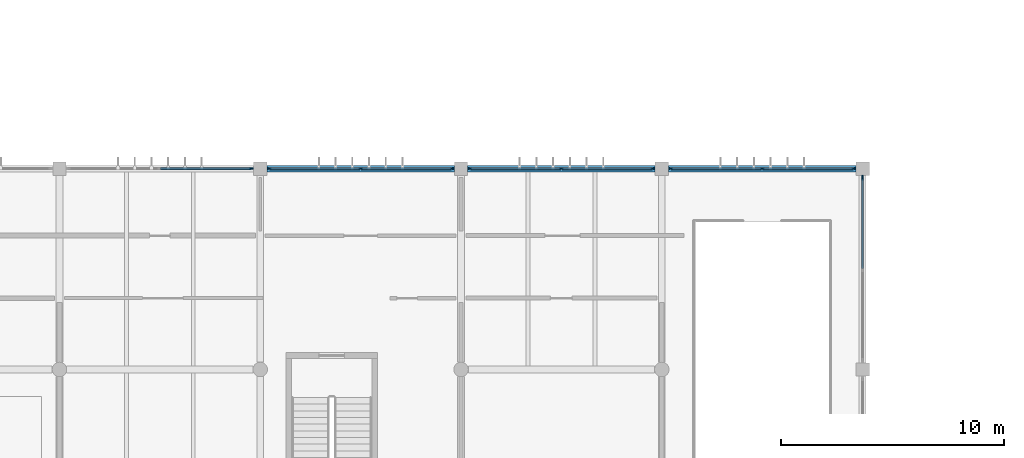
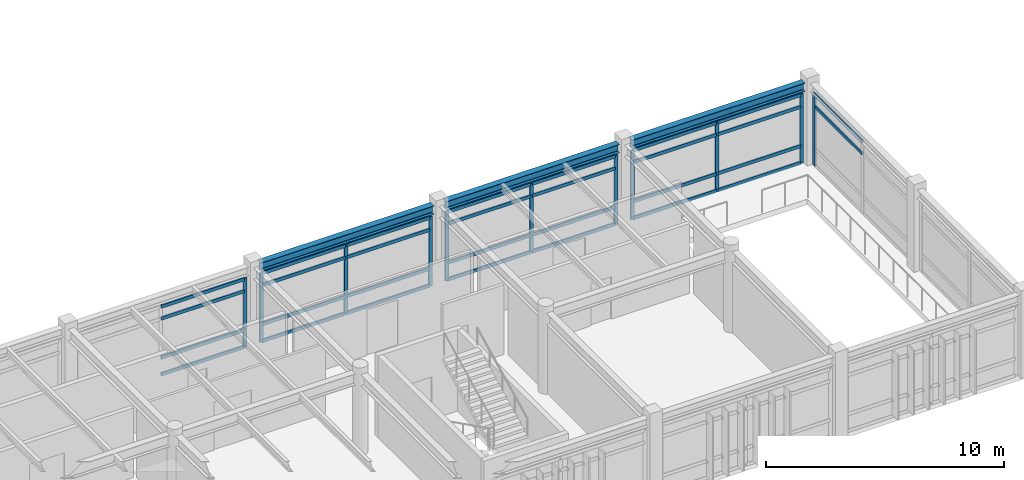
# One storey, part 11 of 55: 41 members, 3 beams, 5 elements without a shape of their own.
"""IFC4 building model written with IfcOpenShell, lengths in metres."""

from ifc_helpers import new_model, si_unit, direction, frame, origin, origin_2d, place, context, subcontext, project, spatial, rectangle, i_section, extrude, material, material_profile, profile_set, type_object, element, aggregate, save


model = new_model("IFC4")

# Units and contexts
model_context = context("Model", 3, precision=1e-05, world=origin(), true_north=direction((0.0, 1.0)))
body_context = subcontext(model_context, "Body", "Model", "MODEL_VIEW")
ifc_project = project(units=[si_unit("LENGTHUNIT", "METRE"), si_unit("AREAUNIT", "SQUARE_METRE"), si_unit("VOLUMEUNIT", "CUBIC_METRE"), si_unit("PLANEANGLEUNIT", "RADIAN"), si_unit("MASSUNIT", "GRAM", prefix="KILO")], contexts=[model_context])

# Site, building, storey
site_placement = place(None, origin())
site = spatial("IfcSite", under=ifc_project, at=site_placement, CompositionType="ELEMENT")
building_placement = place(site_placement, origin())
building = spatial("IfcBuilding", under=site, at=building_placement, Name="Bozkorgan Art Gallery", CompositionType="ELEMENT")
storey_placement = place(building_placement, frame((0.0, 0.0, 15.0)))
storey = spatial("IfcBuildingStorey", under=building, at=storey_placement, Name="L03", CompositionType="ELEMENT", Elevation=15.0)

# Beams
ifc_material_1 = material(Name="Steel S355J2", Category="steel")
ifc_material_profile_1 = material_profile(ifc_material_1, i_section(OverallWidth=0.300048828125, OverallDepth=0.43994140625, WebThickness=0.011474609375, FlangeThickness=0.02099609375, FilletRadius=0.027099609375, at=origin_2d()), Name="HEA 450")
ifc_profile_set_1 = profile_set([ifc_material_profile_1], Name="Steel S355J2")
beam_type = type_object("IfcBeamType", Name="BEAM-SP-34", PredefinedType="SPANDREL", material=ifc_profile_set_1)
for number, where, z_axis, x_axis, name in (
    (1, (38.300048828125, 20.0, 3.9599609375), (1.0, 0.0, 0.0), (0.0, 1.0, 0.0), "V1 L03 spandrel X (38-47, 20.0)"),
    (2, (47.300048828125, 20.0, 3.9599609375), (1.0, 0.0, 0.0), (0.0, 1.0, 0.0), "V1 L03 spandrel X (47-56, 20.0)"),
    (3, (56.300048828125, 20.0, 3.9599609375), (1.0, 0.0, 0.0), (0.0, 1.0, 0.0), "V1 L03 spandrel X (56-65, 20.0)"),
):
    element("IfcBeam", number, at=place(storey_placement, frame(where, z_axis=z_axis, x_axis=x_axis)), inside=storey, type_object=beam_type, Name=name, PredefinedType="SPANDREL", context=body_context, shape_type="SweptSolid", body=[
        extrude(i_section(OverallWidth=0.300048828125, OverallDepth=0.43994140625, WebThickness=0.011474609375, FlangeThickness=0.02099609375, FilletRadius=0.027099609375, at=origin_2d()), origin(), (0.0, 0.0, 1.0), 8.39990234375),
    ])

# Curtain wall, member
ifc_material_2 = material(Name="Anodised Bronze Aluminium", Category="aluminium")
curtain_wall_type_1 = type_object("IfcCurtainWallType", Name="CW-CW-42", PredefinedType="NOTDEFINED", material=ifc_material_2)
curtain_wall_1_placement = place(storey_placement, origin())
curtain_wall_1 = element("IfcCurtainWall", 4, at=curtain_wall_1_placement, inside=storey, type_object=curtain_wall_type_1, Name="L03 unitised curtain wall CW-V1-L03-1N-08", PredefinedType="NOTDEFINED")
ifc_material_profile_2 = material_profile(ifc_material_2, rectangle(XDim=0.06494140625, YDim=0.179931640625, at=origin_2d()), Name="ALU MULLION 65x180")
ifc_profile_set_2 = profile_set([ifc_material_profile_2], Name="Anodised Bronze Aluminium")
member_type_1 = type_object("IfcMemberType", Name="CWM-01", PredefinedType="MULLION", material=ifc_profile_set_2)
member_1_placement = place(storey_placement, frame((37.6025390625, 20.0, 0.02001953125), z_axis=(0.0, 0.0, 1.0), x_axis=(0.0, 1.0, 0.0)))
member_1 = element("IfcMember", 5, at=member_1_placement, type_object=member_type_1, Name="CW-42 mullion 3", PredefinedType="MULLION", context=body_context, shape_type="SweptSolid", body=[
    extrude(rectangle(XDim=0.06494140625, YDim=0.179931640625, at=origin_2d()), origin(), (0.0, 0.0, 1.0), 3.554931640625),
])

# Curtain wall, members
curtain_wall_2_placement = place(storey_placement, origin())
curtain_wall_2 = element("IfcCurtainWall", 6, at=curtain_wall_2_placement, inside=storey, type_object=curtain_wall_type_1, Name="L03 unitised curtain wall CW-V1-L03-1N-10", PredefinedType="NOTDEFINED")
member_2_placement = place(storey_placement, frame((38.3974609375, 20.0, 0.02001953125), z_axis=(0.0, 0.0, 1.0), x_axis=(0.0, 1.0, 0.0)))
member_2 = element("IfcMember", 7, at=member_2_placement, type_object=member_type_1, Name="CW-42 mullion 1", PredefinedType="MULLION", context=body_context, shape_type="SweptSolid", body=[
    extrude(rectangle(XDim=0.06494140625, YDim=0.179931640625, at=origin_2d()), origin(), (0.0, 0.0, 1.0), 3.554931640625),
])
member_3_placement = place(storey_placement, frame((42.5, 20.0, 0.02001953125), z_axis=(0.0, 0.0, 1.0), x_axis=(0.0, 1.0, 0.0)))
member_3 = element("IfcMember", 8, at=member_3_placement, type_object=member_type_1, Name="CW-42 mullion 2", PredefinedType="MULLION", context=body_context, shape_type="SweptSolid", body=[
    extrude(rectangle(XDim=0.06494140625, YDim=0.179931640625, at=origin_2d()), origin(), (0.0, 0.0, 1.0), 3.554931640625),
])
member_4_placement = place(storey_placement, frame((46.6025390625, 20.0, 0.02001953125), z_axis=(0.0, 0.0, 1.0), x_axis=(0.0, 1.0, 0.0)))
member_4 = element("IfcMember", 9, at=member_4_placement, type_object=member_type_1, Name="CW-42 mullion 3", PredefinedType="MULLION", context=body_context, shape_type="SweptSolid", body=[
    extrude(rectangle(XDim=0.06494140625, YDim=0.179931640625, at=origin_2d()), origin(), (0.0, 0.0, 1.0), 3.554931640625),
])

curtain_wall_3_placement = place(storey_placement, origin())
curtain_wall_3 = element("IfcCurtainWall", 10, at=curtain_wall_3_placement, inside=storey, type_object=curtain_wall_type_1, Name="L03 unitised curtain wall CW-V1-L03-1N-12", PredefinedType="NOTDEFINED")
member_5_placement = place(storey_placement, frame((47.3974609375, 20.0, 0.02001953125), z_axis=(0.0, 0.0, 1.0), x_axis=(0.0, 1.0, 0.0)))
member_5 = element("IfcMember", 11, at=member_5_placement, type_object=member_type_1, Name="CW-42 mullion 1", PredefinedType="MULLION", context=body_context, shape_type="SweptSolid", body=[
    extrude(rectangle(XDim=0.06494140625, YDim=0.179931640625, at=origin_2d()), origin(), (0.0, 0.0, 1.0), 3.554931640625),
])
member_6_placement = place(storey_placement, frame((51.5, 20.0, 0.02001953125), z_axis=(0.0, 0.0, 1.0), x_axis=(0.0, 1.0, 0.0)))
member_6 = element("IfcMember", 12, at=member_6_placement, type_object=member_type_1, Name="CW-42 mullion 2", PredefinedType="MULLION", context=body_context, shape_type="SweptSolid", body=[
    extrude(rectangle(XDim=0.06494140625, YDim=0.179931640625, at=origin_2d()), origin(), (0.0, 0.0, 1.0), 3.554931640625),
])
member_7_placement = place(storey_placement, frame((55.6025390625, 20.0, 0.02001953125), z_axis=(0.0, 0.0, 1.0), x_axis=(0.0, 1.0, 0.0)))
member_7 = element("IfcMember", 13, at=member_7_placement, type_object=member_type_1, Name="CW-42 mullion 3", PredefinedType="MULLION", context=body_context, shape_type="SweptSolid", body=[
    extrude(rectangle(XDim=0.06494140625, YDim=0.179931640625, at=origin_2d()), origin(), (0.0, 0.0, 1.0), 3.554931640625),
])

curtain_wall_4_placement = place(storey_placement, origin())
curtain_wall_4 = element("IfcCurtainWall", 14, at=curtain_wall_4_placement, inside=storey, type_object=curtain_wall_type_1, Name="L03 unitised curtain wall CW-V1-L03-1N-14", PredefinedType="NOTDEFINED")
member_8_placement = place(storey_placement, frame((56.3974609375, 20.0, 0.02001953125), z_axis=(0.0, 0.0, 1.0), x_axis=(0.0, 1.0, 0.0)))
member_8 = element("IfcMember", 15, at=member_8_placement, type_object=member_type_1, Name="CW-42 mullion 1", PredefinedType="MULLION", context=body_context, shape_type="SweptSolid", body=[
    extrude(rectangle(XDim=0.06494140625, YDim=0.179931640625, at=origin_2d()), origin(), (0.0, 0.0, 1.0), 3.554931640625),
])
member_9_placement = place(storey_placement, frame((60.5, 20.0, 0.02001953125), z_axis=(0.0, 0.0, 1.0), x_axis=(0.0, 1.0, 0.0)))
member_9 = element("IfcMember", 16, at=member_9_placement, type_object=member_type_1, Name="CW-42 mullion 2", PredefinedType="MULLION", context=body_context, shape_type="SweptSolid", body=[
    extrude(rectangle(XDim=0.06494140625, YDim=0.179931640625, at=origin_2d()), origin(), (0.0, 0.0, 1.0), 3.554931640625),
])
member_10_placement = place(storey_placement, frame((64.6025390625, 20.0, 0.02001953125), z_axis=(0.0, 0.0, 1.0), x_axis=(0.0, 1.0, 0.0)))
member_10 = element("IfcMember", 17, at=member_10_placement, type_object=member_type_1, Name="CW-42 mullion 3", PredefinedType="MULLION", context=body_context, shape_type="SweptSolid", body=[
    extrude(rectangle(XDim=0.06494140625, YDim=0.179931640625, at=origin_2d()), origin(), (0.0, 0.0, 1.0), 3.554931640625),
])

# Curtain wall, member
curtain_wall_type_2 = type_object("IfcCurtainWallType", Name="CW-CW-02", PredefinedType="NOTDEFINED", material=ifc_material_2)
curtain_wall_5_placement = place(storey_placement, origin())
curtain_wall_5 = element("IfcCurtainWall", 18, at=curtain_wall_5_placement, inside=storey, type_object=curtain_wall_type_2, Name="L03 unitised curtain wall CW-V1-L03-1E-18", PredefinedType="NOTDEFINED")
ifc_material_profile_3 = material_profile(ifc_material_2, rectangle(XDim=0.074951171875, YDim=0.219970703125, at=origin_2d()), Name="ALU MULLION 75x220")
ifc_profile_set_3 = profile_set([ifc_material_profile_3], Name="Anodised Bronze Aluminium")
member_type_2 = type_object("IfcMemberType", Name="CWM-02", PredefinedType="MULLION", material=ifc_profile_set_3)
member_11_placement = place(storey_placement, frame((65.0, 19.597412109375, 0.02001953125), z_axis=(0.0, 0.0, 1.0), x_axis=(-1.0, 0.0, 0.0)))
member_11 = element("IfcMember", 19, at=member_11_placement, type_object=member_type_2, Name="CW-02 mullion 3", PredefinedType="MULLION", context=body_context, shape_type="SweptSolid", body=[
    extrude(rectangle(XDim=0.074951171875, YDim=0.219970703125, at=origin_2d()), origin(), (0.0, 0.0, 1.0), 3.705078125),
])

# Member
ifc_material_profile_4 = material_profile(ifc_material_2, rectangle(XDim=0.074951171875, YDim=0.169921875, at=origin_2d()), Name="ALU TRANSOM 75x170")
ifc_profile_set_4 = profile_set([ifc_material_profile_4], Name="Anodised Bronze Aluminium")
member_type_3 = type_object("IfcMemberType", Name="CWT-02", PredefinedType="USERDEFINED", material=ifc_profile_set_4)
member_12_placement = place(storey_placement, frame((33.532470703125, 20.0, 0.0576171875), z_axis=(1.0, 0.0, 0.0), x_axis=(0.0, 1.0, 0.0)))
member_12 = element("IfcMember", 20, at=member_12_placement, type_object=member_type_3, Name="CW-42 transom 2.1", ObjectType="TRANSOM", PredefinedType="USERDEFINED", context=body_context, shape_type="SweptSolid", body=[
    extrude(rectangle(XDim=0.074951171875, YDim=0.169921875, at=origin_2d()), origin(), (0.0, 0.0, 1.0), 4.03759765625),
])

member_13_placement = place(storey_placement, frame((33.532470703125, 20.0, 0.919921875), z_axis=(1.0, 0.0, 0.0), x_axis=(0.0, 1.0, 0.0)))
member_13 = element("IfcMember", 21, at=member_13_placement, type_object=member_type_3, Name="CW-42 transom 2.2", ObjectType="TRANSOM", PredefinedType="USERDEFINED", context=body_context, shape_type="SweptSolid", body=[
    extrude(rectangle(XDim=0.074951171875, YDim=0.169921875, at=origin_2d()), origin(), (0.0, 0.0, 1.0), 4.03759765625),
])

member_14_placement = place(storey_placement, frame((33.532470703125, 20.0, 2.925048828125), z_axis=(1.0, 0.0, 0.0), x_axis=(0.0, 1.0, 0.0)))
member_14 = element("IfcMember", 22, at=member_14_placement, type_object=member_type_3, Name="CW-42 transom 2.3", ObjectType="TRANSOM", PredefinedType="USERDEFINED", context=body_context, shape_type="SweptSolid", body=[
    extrude(rectangle(XDim=0.074951171875, YDim=0.169921875, at=origin_2d()), origin(), (0.0, 0.0, 1.0), 4.03759765625),
])

member_15_placement = place(storey_placement, frame((33.532470703125, 20.0, 3.53759765625), z_axis=(1.0, 0.0, 0.0), x_axis=(0.0, 1.0, 0.0)))
member_15 = element("IfcMember", 23, at=member_15_placement, type_object=member_type_3, Name="CW-42 transom 2.4", ObjectType="TRANSOM", PredefinedType="USERDEFINED", context=body_context, shape_type="SweptSolid", body=[
    extrude(rectangle(XDim=0.074951171875, YDim=0.169921875, at=origin_2d()), origin(), (0.0, 0.0, 1.0), 4.03759765625),
])

aggregate(curtain_wall_1, [member_1, member_12, member_13, member_14, member_15])

member_16_placement = place(storey_placement, frame((38.429931640625, 20.0, 0.0576171875), z_axis=(1.0, 0.0, 0.0), x_axis=(0.0, 1.0, 0.0)))
member_16 = element("IfcMember", 24, at=member_16_placement, type_object=member_type_3, Name="CW-42 transom 1.1", ObjectType="TRANSOM", PredefinedType="USERDEFINED", context=body_context, shape_type="SweptSolid", body=[
    extrude(rectangle(XDim=0.074951171875, YDim=0.169921875, at=origin_2d()), origin(), (0.0, 0.0, 1.0), 4.03759765625),
])

member_17_placement = place(storey_placement, frame((38.429931640625, 20.0, 0.919921875), z_axis=(1.0, 0.0, 0.0), x_axis=(0.0, 1.0, 0.0)))
member_17 = element("IfcMember", 25, at=member_17_placement, type_object=member_type_3, Name="CW-42 transom 1.2", ObjectType="TRANSOM", PredefinedType="USERDEFINED", context=body_context, shape_type="SweptSolid", body=[
    extrude(rectangle(XDim=0.074951171875, YDim=0.169921875, at=origin_2d()), origin(), (0.0, 0.0, 1.0), 4.03759765625),
])

member_18_placement = place(storey_placement, frame((38.429931640625, 20.0, 2.925048828125), z_axis=(1.0, 0.0, 0.0), x_axis=(0.0, 1.0, 0.0)))
member_18 = element("IfcMember", 26, at=member_18_placement, type_object=member_type_3, Name="CW-42 transom 1.3", ObjectType="TRANSOM", PredefinedType="USERDEFINED", context=body_context, shape_type="SweptSolid", body=[
    extrude(rectangle(XDim=0.074951171875, YDim=0.169921875, at=origin_2d()), origin(), (0.0, 0.0, 1.0), 4.03759765625),
])

member_19_placement = place(storey_placement, frame((38.429931640625, 20.0, 3.53759765625), z_axis=(1.0, 0.0, 0.0), x_axis=(0.0, 1.0, 0.0)))
member_19 = element("IfcMember", 27, at=member_19_placement, type_object=member_type_3, Name="CW-42 transom 1.4", ObjectType="TRANSOM", PredefinedType="USERDEFINED", context=body_context, shape_type="SweptSolid", body=[
    extrude(rectangle(XDim=0.074951171875, YDim=0.169921875, at=origin_2d()), origin(), (0.0, 0.0, 1.0), 4.03759765625),
])

member_20_placement = place(storey_placement, frame((42.532470703125, 20.0, 0.0576171875), z_axis=(1.0, 0.0, 0.0), x_axis=(0.0, 1.0, 0.0)))
member_20 = element("IfcMember", 28, at=member_20_placement, type_object=member_type_3, Name="CW-42 transom 2.1", ObjectType="TRANSOM", PredefinedType="USERDEFINED", context=body_context, shape_type="SweptSolid", body=[
    extrude(rectangle(XDim=0.074951171875, YDim=0.169921875, at=origin_2d()), origin(), (0.0, 0.0, 1.0), 4.03759765625),
])

member_21_placement = place(storey_placement, frame((42.532470703125, 20.0, 0.919921875), z_axis=(1.0, 0.0, 0.0), x_axis=(0.0, 1.0, 0.0)))
member_21 = element("IfcMember", 29, at=member_21_placement, type_object=member_type_3, Name="CW-42 transom 2.2", ObjectType="TRANSOM", PredefinedType="USERDEFINED", context=body_context, shape_type="SweptSolid", body=[
    extrude(rectangle(XDim=0.074951171875, YDim=0.169921875, at=origin_2d()), origin(), (0.0, 0.0, 1.0), 4.03759765625),
])

member_22_placement = place(storey_placement, frame((42.532470703125, 20.0, 2.925048828125), z_axis=(1.0, 0.0, 0.0), x_axis=(0.0, 1.0, 0.0)))
member_22 = element("IfcMember", 30, at=member_22_placement, type_object=member_type_3, Name="CW-42 transom 2.3", ObjectType="TRANSOM", PredefinedType="USERDEFINED", context=body_context, shape_type="SweptSolid", body=[
    extrude(rectangle(XDim=0.074951171875, YDim=0.169921875, at=origin_2d()), origin(), (0.0, 0.0, 1.0), 4.03759765625),
])

member_23_placement = place(storey_placement, frame((42.532470703125, 20.0, 3.53759765625), z_axis=(1.0, 0.0, 0.0), x_axis=(0.0, 1.0, 0.0)))
member_23 = element("IfcMember", 31, at=member_23_placement, type_object=member_type_3, Name="CW-42 transom 2.4", ObjectType="TRANSOM", PredefinedType="USERDEFINED", context=body_context, shape_type="SweptSolid", body=[
    extrude(rectangle(XDim=0.074951171875, YDim=0.169921875, at=origin_2d()), origin(), (0.0, 0.0, 1.0), 4.03759765625),
])

aggregate(curtain_wall_2, [member_2, member_3, member_4, member_16, member_17, member_18, member_19, member_20, member_21, member_22, member_23])

member_24_placement = place(storey_placement, frame((47.429931640625, 20.0, 0.0576171875), z_axis=(1.0, 0.0, 0.0), x_axis=(0.0, 1.0, 0.0)))
member_24 = element("IfcMember", 32, at=member_24_placement, type_object=member_type_3, Name="CW-42 transom 1.1", ObjectType="TRANSOM", PredefinedType="USERDEFINED", context=body_context, shape_type="SweptSolid", body=[
    extrude(rectangle(XDim=0.074951171875, YDim=0.169921875, at=origin_2d()), origin(), (0.0, 0.0, 1.0), 4.03759765625),
])

member_25_placement = place(storey_placement, frame((47.429931640625, 20.0, 0.919921875), z_axis=(1.0, 0.0, 0.0), x_axis=(0.0, 1.0, 0.0)))
member_25 = element("IfcMember", 33, at=member_25_placement, type_object=member_type_3, Name="CW-42 transom 1.2", ObjectType="TRANSOM", PredefinedType="USERDEFINED", context=body_context, shape_type="SweptSolid", body=[
    extrude(rectangle(XDim=0.074951171875, YDim=0.169921875, at=origin_2d()), origin(), (0.0, 0.0, 1.0), 4.03759765625),
])

member_26_placement = place(storey_placement, frame((47.429931640625, 20.0, 2.925048828125), z_axis=(1.0, 0.0, 0.0), x_axis=(0.0, 1.0, 0.0)))
member_26 = element("IfcMember", 34, at=member_26_placement, type_object=member_type_3, Name="CW-42 transom 1.3", ObjectType="TRANSOM", PredefinedType="USERDEFINED", context=body_context, shape_type="SweptSolid", body=[
    extrude(rectangle(XDim=0.074951171875, YDim=0.169921875, at=origin_2d()), origin(), (0.0, 0.0, 1.0), 4.03759765625),
])

member_27_placement = place(storey_placement, frame((47.429931640625, 20.0, 3.53759765625), z_axis=(1.0, 0.0, 0.0), x_axis=(0.0, 1.0, 0.0)))
member_27 = element("IfcMember", 35, at=member_27_placement, type_object=member_type_3, Name="CW-42 transom 1.4", ObjectType="TRANSOM", PredefinedType="USERDEFINED", context=body_context, shape_type="SweptSolid", body=[
    extrude(rectangle(XDim=0.074951171875, YDim=0.169921875, at=origin_2d()), origin(), (0.0, 0.0, 1.0), 4.03759765625),
])

member_28_placement = place(storey_placement, frame((51.532470703125, 20.0, 0.0576171875), z_axis=(1.0, 0.0, 0.0), x_axis=(0.0, 1.0, 0.0)))
member_28 = element("IfcMember", 36, at=member_28_placement, type_object=member_type_3, Name="CW-42 transom 2.1", ObjectType="TRANSOM", PredefinedType="USERDEFINED", context=body_context, shape_type="SweptSolid", body=[
    extrude(rectangle(XDim=0.074951171875, YDim=0.169921875, at=origin_2d()), origin(), (0.0, 0.0, 1.0), 4.03759765625),
])

member_29_placement = place(storey_placement, frame((51.532470703125, 20.0, 0.919921875), z_axis=(1.0, 0.0, 0.0), x_axis=(0.0, 1.0, 0.0)))
member_29 = element("IfcMember", 37, at=member_29_placement, type_object=member_type_3, Name="CW-42 transom 2.2", ObjectType="TRANSOM", PredefinedType="USERDEFINED", context=body_context, shape_type="SweptSolid", body=[
    extrude(rectangle(XDim=0.074951171875, YDim=0.169921875, at=origin_2d()), origin(), (0.0, 0.0, 1.0), 4.03759765625),
])

member_30_placement = place(storey_placement, frame((51.532470703125, 20.0, 2.925048828125), z_axis=(1.0, 0.0, 0.0), x_axis=(0.0, 1.0, 0.0)))
member_30 = element("IfcMember", 38, at=member_30_placement, type_object=member_type_3, Name="CW-42 transom 2.3", ObjectType="TRANSOM", PredefinedType="USERDEFINED", context=body_context, shape_type="SweptSolid", body=[
    extrude(rectangle(XDim=0.074951171875, YDim=0.169921875, at=origin_2d()), origin(), (0.0, 0.0, 1.0), 4.03759765625),
])

member_31_placement = place(storey_placement, frame((51.532470703125, 20.0, 3.53759765625), z_axis=(1.0, 0.0, 0.0), x_axis=(0.0, 1.0, 0.0)))
member_31 = element("IfcMember", 39, at=member_31_placement, type_object=member_type_3, Name="CW-42 transom 2.4", ObjectType="TRANSOM", PredefinedType="USERDEFINED", context=body_context, shape_type="SweptSolid", body=[
    extrude(rectangle(XDim=0.074951171875, YDim=0.169921875, at=origin_2d()), origin(), (0.0, 0.0, 1.0), 4.03759765625),
])

aggregate(curtain_wall_3, [member_5, member_6, member_7, member_24, member_25, member_26, member_27, member_28, member_29, member_30, member_31])

member_32_placement = place(storey_placement, frame((56.429931640625, 20.0, 0.0576171875), z_axis=(1.0, 0.0, 0.0), x_axis=(0.0, 1.0, 0.0)))
member_32 = element("IfcMember", 40, at=member_32_placement, type_object=member_type_3, Name="CW-42 transom 1.1", ObjectType="TRANSOM", PredefinedType="USERDEFINED", context=body_context, shape_type="SweptSolid", body=[
    extrude(rectangle(XDim=0.074951171875, YDim=0.169921875, at=origin_2d()), origin(), (0.0, 0.0, 1.0), 4.03759765625),
])

member_33_placement = place(storey_placement, frame((56.429931640625, 20.0, 0.919921875), z_axis=(1.0, 0.0, 0.0), x_axis=(0.0, 1.0, 0.0)))
member_33 = element("IfcMember", 41, at=member_33_placement, type_object=member_type_3, Name="CW-42 transom 1.2", ObjectType="TRANSOM", PredefinedType="USERDEFINED", context=body_context, shape_type="SweptSolid", body=[
    extrude(rectangle(XDim=0.074951171875, YDim=0.169921875, at=origin_2d()), origin(), (0.0, 0.0, 1.0), 4.03759765625),
])

member_34_placement = place(storey_placement, frame((56.429931640625, 20.0, 2.925048828125), z_axis=(1.0, 0.0, 0.0), x_axis=(0.0, 1.0, 0.0)))
member_34 = element("IfcMember", 42, at=member_34_placement, type_object=member_type_3, Name="CW-42 transom 1.3", ObjectType="TRANSOM", PredefinedType="USERDEFINED", context=body_context, shape_type="SweptSolid", body=[
    extrude(rectangle(XDim=0.074951171875, YDim=0.169921875, at=origin_2d()), origin(), (0.0, 0.0, 1.0), 4.03759765625),
])

member_35_placement = place(storey_placement, frame((56.429931640625, 20.0, 3.53759765625), z_axis=(1.0, 0.0, 0.0), x_axis=(0.0, 1.0, 0.0)))
member_35 = element("IfcMember", 43, at=member_35_placement, type_object=member_type_3, Name="CW-42 transom 1.4", ObjectType="TRANSOM", PredefinedType="USERDEFINED", context=body_context, shape_type="SweptSolid", body=[
    extrude(rectangle(XDim=0.074951171875, YDim=0.169921875, at=origin_2d()), origin(), (0.0, 0.0, 1.0), 4.03759765625),
])

member_36_placement = place(storey_placement, frame((60.532470703125, 20.0, 0.0576171875), z_axis=(1.0, 0.0, 0.0), x_axis=(0.0, 1.0, 0.0)))
member_36 = element("IfcMember", 44, at=member_36_placement, type_object=member_type_3, Name="CW-42 transom 2.1", ObjectType="TRANSOM", PredefinedType="USERDEFINED", context=body_context, shape_type="SweptSolid", body=[
    extrude(rectangle(XDim=0.074951171875, YDim=0.169921875, at=origin_2d()), origin(), (0.0, 0.0, 1.0), 4.03759765625),
])

member_37_placement = place(storey_placement, frame((60.532470703125, 20.0, 0.919921875), z_axis=(1.0, 0.0, 0.0), x_axis=(0.0, 1.0, 0.0)))
member_37 = element("IfcMember", 45, at=member_37_placement, type_object=member_type_3, Name="CW-42 transom 2.2", ObjectType="TRANSOM", PredefinedType="USERDEFINED", context=body_context, shape_type="SweptSolid", body=[
    extrude(rectangle(XDim=0.074951171875, YDim=0.169921875, at=origin_2d()), origin(), (0.0, 0.0, 1.0), 4.03759765625),
])

member_38_placement = place(storey_placement, frame((60.532470703125, 20.0, 2.925048828125), z_axis=(1.0, 0.0, 0.0), x_axis=(0.0, 1.0, 0.0)))
member_38 = element("IfcMember", 46, at=member_38_placement, type_object=member_type_3, Name="CW-42 transom 2.3", ObjectType="TRANSOM", PredefinedType="USERDEFINED", context=body_context, shape_type="SweptSolid", body=[
    extrude(rectangle(XDim=0.074951171875, YDim=0.169921875, at=origin_2d()), origin(), (0.0, 0.0, 1.0), 4.03759765625),
])

member_39_placement = place(storey_placement, frame((60.532470703125, 20.0, 3.53759765625), z_axis=(1.0, 0.0, 0.0), x_axis=(0.0, 1.0, 0.0)))
member_39 = element("IfcMember", 47, at=member_39_placement, type_object=member_type_3, Name="CW-42 transom 2.4", ObjectType="TRANSOM", PredefinedType="USERDEFINED", context=body_context, shape_type="SweptSolid", body=[
    extrude(rectangle(XDim=0.074951171875, YDim=0.169921875, at=origin_2d()), origin(), (0.0, 0.0, 1.0), 4.03759765625),
])

aggregate(curtain_wall_4, [member_8, member_9, member_10, member_32, member_33, member_34, member_35, member_36, member_37, member_38, member_39])

member_40_placement = place(storey_placement, frame((65.0, 15.53759765625, 3.074951171875), z_axis=(0.0, 1.0, 0.0), x_axis=(-1.0, 0.0, 0.0)))
member_40 = element("IfcMember", 48, at=member_40_placement, type_object=member_type_3, Name="CW-02 transom 2.3", ObjectType="TRANSOM", PredefinedType="USERDEFINED", context=body_context, shape_type="SweptSolid", body=[
    extrude(rectangle(XDim=0.074951171875, YDim=0.169921875, at=origin_2d()), origin(), (0.0, 0.0, 1.0), 4.0224609375),
])

member_41_placement = place(storey_placement, frame((65.0, 15.53759765625, 3.6875), z_axis=(0.0, 1.0, 0.0), x_axis=(-1.0, 0.0, 0.0)))
member_41 = element("IfcMember", 49, at=member_41_placement, type_object=member_type_3, Name="CW-02 transom 2.4", ObjectType="TRANSOM", PredefinedType="USERDEFINED", context=body_context, shape_type="SweptSolid", body=[
    extrude(rectangle(XDim=0.074951171875, YDim=0.169921875, at=origin_2d()), origin(), (0.0, 0.0, 1.0), 4.0224609375),
])

aggregate(curtain_wall_5, [member_11, member_40, member_41])

save(model, "model.ifc")
